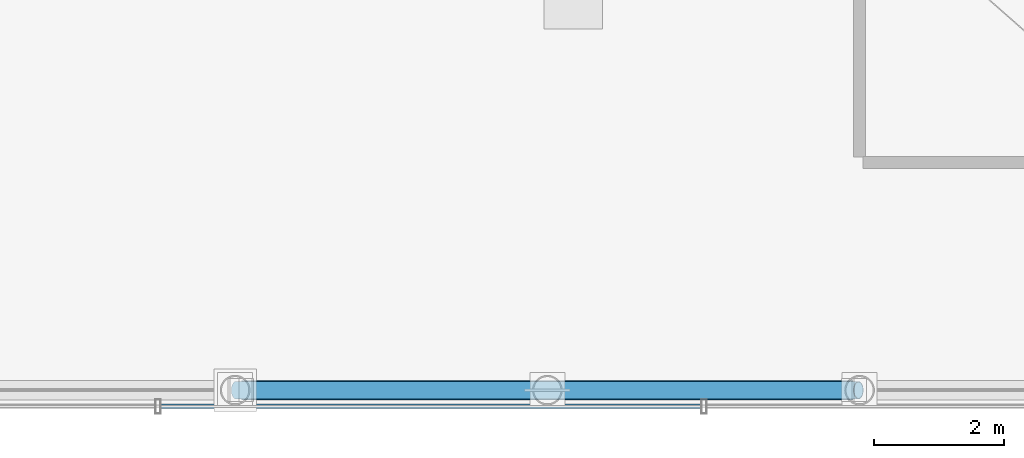
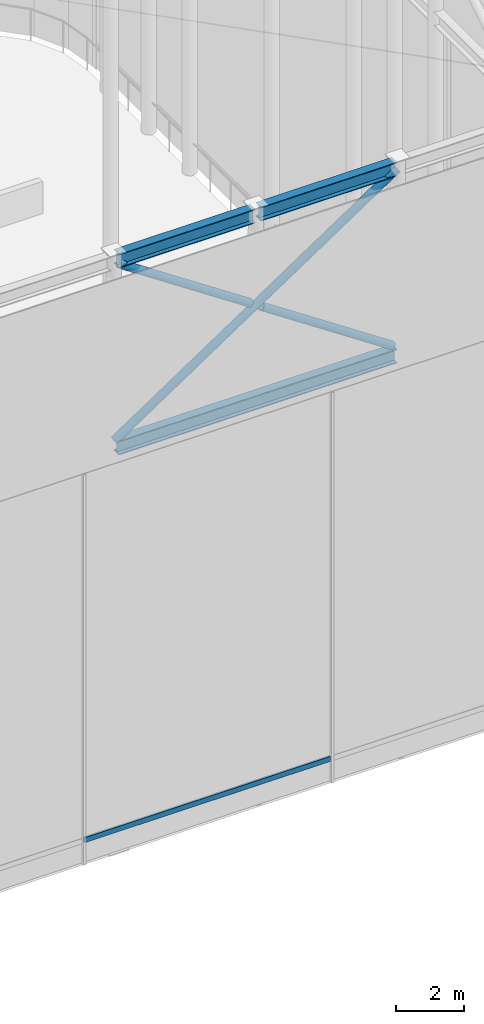
# One storey, part 15 of 42: 4 members, 3 beams, 1 element without a shape of its own.
"""IFC4 building model written with IfcOpenShell, lengths in metres."""

from ifc_helpers import new_model, si_unit, direction, frame, origin, origin_2d, place, context, subcontext, project, spatial, hollow_rectangle, hollow_circle, i_section, extrude, material, layer, layer_set, material_profile, profile_set, type_object, element, aggregate, save


model = new_model("IFC4")

# Units and contexts
model_context = context("Model", 3, precision=1e-05, world=origin(), true_north=direction((0.0, 1.0)))
body_context = subcontext(model_context, "Body", "Model", "MODEL_VIEW")
ifc_project = project(units=[si_unit("LENGTHUNIT", "METRE"), si_unit("AREAUNIT", "SQUARE_METRE"), si_unit("VOLUMEUNIT", "CUBIC_METRE"), si_unit("PLANEANGLEUNIT", "RADIAN"), si_unit("MASSUNIT", "GRAM", prefix="KILO")], contexts=[model_context])

# Site, building, storey
site_placement = place(None, origin())
site = spatial("IfcSite", under=ifc_project, at=site_placement, CompositionType="ELEMENT")
building_placement = place(site_placement, origin())
building = spatial("IfcBuilding", under=site, at=building_placement, Name="Kallvorn Hotel Tower", CompositionType="ELEMENT")
storey_placement = place(building_placement, frame((0.0, 0.0, 306.0)))
storey = spatial("IfcBuildingStorey", under=building, at=storey_placement, Name="ROOF", CompositionType="ELEMENT", Elevation=306.0)

# Beams
ifc_material_1 = material(Name="Structural steel S355JR", Category="steel")
ifc_material_profile_1 = material_profile(ifc_material_1, i_section(OverallWidth=0.300048828125, OverallDepth=0.5, WebThickness=0.014404296875, FlangeThickness=0.028076171875, at=origin_2d()), Name="HE 500 B")
ifc_profile_set_1 = profile_set([ifc_material_profile_1], Name="Structural steel S355JR")
beam_type = type_object("IfcBeamType", Name="BM_HE500B", PredefinedType="SPANDREL", material=ifc_profile_set_1)
for number, where, z_axis, x_axis, name in (
    (1, (4.89990234375, -24.0, 21.030029296875), (1.0, 0.0, 0.0), (0.0, 1.0, 0.0), "CROWN FRAME Top Ring Beam 07"),
    (2, (9.699951171875, -24.0, 21.030029296875), (1.0, 0.0, 0.0), (0.0, 1.0, 0.0), "CROWN FRAME Top Ring Beam 08"),
):
    element("IfcBeam", number, at=place(storey_placement, frame(where, z_axis=z_axis, x_axis=x_axis)), inside=storey, type_object=beam_type, Name=name, PredefinedType="SPANDREL", context=body_context, shape_type="SweptSolid", body=[
        extrude(i_section(OverallWidth=0.300048828125, OverallDepth=0.5, WebThickness=0.014404296875, FlangeThickness=0.028076171875, at=origin_2d()), origin(), (0.0, 0.0, 1.0), 4.60009765625),
    ])
beam_placement = place(storey_placement, frame((4.89990234375, -24.0, 14.35009765625), z_axis=(1.0, 0.0, 0.0), x_axis=(0.0, 1.0, 0.0)))
element("IfcBeam", 3, at=beam_placement, inside=storey, type_object=beam_type, Name="CROWN FRAME Louvre Sill Tie Beam CS2", PredefinedType="SPANDREL", context=body_context, shape_type="SweptSolid", body=[
    extrude(i_section(OverallWidth=0.300048828125, OverallDepth=0.5, WebThickness=0.014404296875, FlangeThickness=0.028076171875, at=origin_2d()), origin(), (0.0, 0.0, 1.0), 9.400146484375),
])

# Curtain wall, member
ifc_material_2 = material(Name="Thermally broken black-anodised aluminium AA 6063-T6", Category="aluminium")
ifc_layer = layer(ifc_material_2, 0.18994140625)
ifc_layer_set = layer_set([ifc_layer], Name="CW_SYS_7_CROWN_DRUM")
curtain_wall_type = type_object("IfcCurtainWallType", Name="CW_SYS_7_CROWN_DRUM", PredefinedType="USERDEFINED", material=ifc_layer_set)
curtain_wall_placement = place(storey_placement, origin())
curtain_wall = element("IfcCurtainWall", 4, at=curtain_wall_placement, inside=storey, type_object=curtain_wall_type, Name="ROOF Dark-Glass Curtain Wall CW-ROOF-S2", ObjectType="UNITISED CURTAIN WALL", PredefinedType="USERDEFINED")
ifc_material_3 = material(Name="Thermally broken black-anodised aluminium AA 6063-T6", Category="aluminium")
ifc_material_profile_2 = material_profile(ifc_material_3, hollow_rectangle(XDim=0.070068359375, YDim=0.179931640625, WallThickness=0.00390625, at=origin_2d()), Name="TRN 180x70")
ifc_profile_set_2 = profile_set([ifc_material_profile_2], Name="Thermally broken black-anodised aluminium AA 6063-T6")
member_type_1 = type_object("IfcMemberType", Name="CW_TRANSOM_180x70", PredefinedType="USERDEFINED", material=ifc_profile_set_2)
member_1_placement = place(storey_placement, frame((3.6533203125, -24.25, 0.85009765625), z_axis=(1.0, 0.0, 0.0), x_axis=(0.0, 1.0, 0.0)))
member_1 = element("IfcMember", 5, at=member_1_placement, type_object=member_type_1, Name="CW-ROOF-S2 Transom 01M", ObjectType="TRANSOM", PredefinedType="USERDEFINED", context=body_context, shape_type="SweptSolid", body=[
    extrude(hollow_rectangle(XDim=0.070068359375, YDim=0.179931640625, WallThickness=0.00390625, at=origin_2d()), origin(), (0.0, 0.0, 1.0), 8.3134765625),
])
aggregate(curtain_wall, [member_1])

# Members
ifc_material_4 = material(Name="Structural steel S355J2H", Category="steel")
ifc_material_profile_3 = material_profile(ifc_material_4, hollow_circle(Radius=0.136474609375, WallThickness=0.010009765625, at=origin_2d()), Name="CHS 273x10")
ifc_profile_set_3 = profile_set([ifc_material_profile_3], Name="Structural steel S355J2H")
member_type_2 = type_object("IfcMemberType", Name="MBR_CROWN_CHS273", PredefinedType="BRACE", material=ifc_profile_set_3)
member_2_placement = place(storey_placement, frame((4.816650390625, -24.0, 14.56103515625), z_axis=(0.832043760824, 0.0, 0.55470999637), x_axis=(0.0, 1.0, 0.0)))
element("IfcMember", 6, at=member_2_placement, inside=storey, type_object=member_type_2, Name="CROWN FRAME Ring X-Brace Continuous Diagonal CS2", PredefinedType="BRACE", context=body_context, shape_type="SweptSolid", body=[
    extrude(hollow_circle(Radius=0.136474609375, WallThickness=0.010009765625, at=origin_2d()), origin(), (0.0, 0.0, 1.0), 11.497802734375),
])
member_3_placement = place(storey_placement, frame((4.983154296875, -24.0, 20.827880859375), z_axis=(0.832057342826, 0.0, -0.554689623347), x_axis=(0.0, 1.0, 0.0)))
element("IfcMember", 7, at=member_3_placement, inside=storey, type_object=member_type_2, Name="CROWN FRAME Ring X-Brace Split Half-Diagonal CS2-1", PredefinedType="BRACE", context=body_context, shape_type="SweptSolid", body=[
    extrude(hollow_circle(Radius=0.136474609375, WallThickness=0.010009765625, at=origin_2d()), origin(), (0.0, 0.0, 1.0), 5.328857421875),
])
member_4_placement = place(storey_placement, frame((9.783203125, -24.0, 17.6279296875), z_axis=(0.832043245446, 0.0, -0.554710769417), x_axis=(0.0, 1.0, 0.0)))
element("IfcMember", 8, at=member_4_placement, inside=storey, type_object=member_type_2, Name="CROWN FRAME Ring X-Brace Split Half-Diagonal CS2-2", PredefinedType="BRACE", context=body_context, shape_type="SweptSolid", body=[
    extrude(hollow_circle(Radius=0.136474609375, WallThickness=0.010009765625, at=origin_2d()), origin(), (0.0, 0.0, 1.0), 5.32861328125),
])

save(model, "model.ifc")
